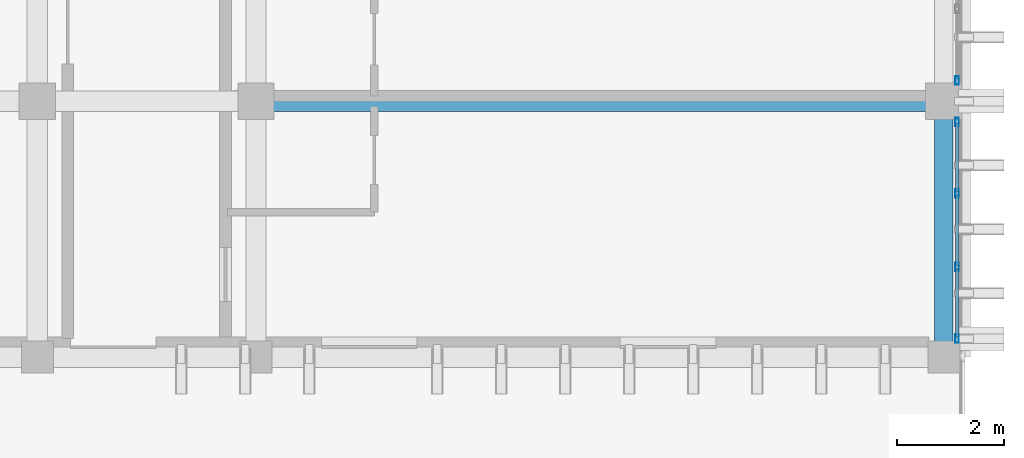
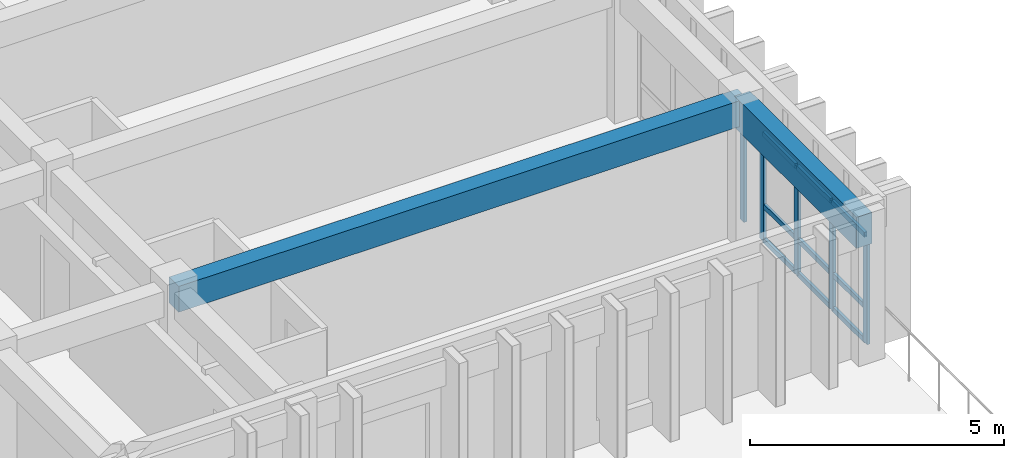
# One storey, part 6 of 53: 14 members, 2 beams, 2 elements without a shape of their own.
"""IFC4 building model written with IfcOpenShell, lengths in metres."""

from ifc_helpers import new_model, si_unit, direction, frame, origin, origin_2d, place, context, subcontext, project, spatial, rectangle, hollow_rectangle, extrude, material, layer, layer_set, material_profile, profile_set, type_object, element, aggregate, save


model = new_model("IFC4")

# Units and contexts
model_context = context("Model", 3, precision=1e-05, world=origin(), true_north=direction((0.0, 1.0)))
body_context = subcontext(model_context, "Body", "Model", "MODEL_VIEW")
ifc_project = project(units=[si_unit("LENGTHUNIT", "METRE"), si_unit("AREAUNIT", "SQUARE_METRE"), si_unit("VOLUMEUNIT", "CUBIC_METRE"), si_unit("PLANEANGLEUNIT", "RADIAN"), si_unit("MASSUNIT", "GRAM", prefix="KILO")], contexts=[model_context])

# Site, building, storey
site_placement = place(None, origin())
site = spatial("IfcSite", under=ifc_project, at=site_placement, CompositionType="ELEMENT")
building_placement = place(site_placement, origin())
building = spatial("IfcBuilding", under=site, at=building_placement, Name="Nakhvara Creek Congress Hotel", CompositionType="ELEMENT")
storey_placement = place(building_placement, frame((0.0, 0.0, 35.39990234375)))
storey = spatial("IfcBuildingStorey", under=building, at=storey_placement, Name="L08", CompositionType="ELEMENT", Elevation=35.39990234375)

# Beams
ifc_material_1 = material(Name="Concrete C40/50", Category="concrete")
ifc_material_profile_1 = material_profile(ifc_material_1, rectangle(XDim=0.3798828125, YDim=0.6201171875, at=origin_2d()), Name="RC-BM 380x620", Category="LoadBearing")
ifc_profile_set_1 = profile_set([ifc_material_profile_1], Name="Concrete C40/50")
beam_type_1 = type_object("IfcBeamType", Name="BM-RC-380X620", PredefinedType="BEAM", material=ifc_profile_set_1)
beam_1_placement = place(storey_placement, frame((166.449951171875, 57.60009765625, 3.050048828125), z_axis=(1.0, 0.0, 0.0), x_axis=(0.0, 1.0, 0.0)))
element("IfcBeam", 1, at=beam_1_placement, inside=storey, type_object=beam_type_1, Name="Beam B10-L08-2473", PredefinedType="BEAM", context=body_context, shape_type="SweptSolid", body=[
    extrude(rectangle(XDim=0.3798828125, YDim=0.6201171875, at=origin_2d()), origin(), (0.0, 0.0, 1.0), 12.900146484375),
])
ifc_material_profile_2 = material_profile(ifc_material_1, rectangle(XDim=0.35009765625, YDim=0.75, at=origin_2d()), Name="RC-SPANDREL 350x750", Category="LoadBearing")
ifc_profile_set_2 = profile_set([ifc_material_profile_2], Name="Concrete C40/50")
beam_type_2 = type_object("IfcBeamType", Name="BM-SPN-350X750", PredefinedType="SPANDREL", material=ifc_profile_set_2)
beam_2_placement = place(storey_placement, frame((179.35009765625, 52.800048828125, 2.985107421875), z_axis=(0.0, 1.0, 0.0), x_axis=(-1.0, 0.0, 0.0)))
element("IfcBeam", 2, at=beam_2_placement, inside=storey, type_object=beam_type_2, Name="Beam SP1-L08-2496", PredefinedType="SPANDREL", context=body_context, shape_type="SweptSolid", body=[
    extrude(rectangle(XDim=0.35009765625, YDim=0.75, at=origin_2d()), origin(), (0.0, 0.0, 1.0), 4.800048828125),
])

# Curtain wall, members
ifc_material_2 = material(Name="Bronze-anodised aluminium AW-6063-T6 and double-silver low-E glass", Category="aluminium")
ifc_layer = layer(ifc_material_2, 0.199951171875)
ifc_layer_set = layer_set([ifc_layer], Name="Bronze-anodised aluminium AW-6063-T6 and double-silver low-E glass")
curtain_wall_type = type_object("IfcCurtainWallType", Name="CW-HTL-UNIT", PredefinedType="USERDEFINED", material=ifc_layer_set)
curtain_wall_1_placement = place(storey_placement, origin())
curtain_wall_1 = element("IfcCurtainWall", 3, at=curtain_wall_1_placement, inside=storey, type_object=curtain_wall_type, Name="Curtain Wall CW275", ObjectType="UNITISED", PredefinedType="USERDEFINED")
ifc_material_3 = material(Name="Bronze-anodised aluminium AW-6063-T6", Category="aluminium")
ifc_material_profile_3 = material_profile(ifc_material_3, hollow_rectangle(XDim=0.06494140625, YDim=0.159912109375, WallThickness=0.00390625, at=origin_2d()), Name="ALU-MULL 65x160x4", Category="LoadBearing")
ifc_profile_set_3 = profile_set([ifc_material_profile_3], Name="Bronze-anodised aluminium AW-6063-T6")
member_type_1 = type_object("IfcMemberType", Name="CW-MULL-160", PredefinedType="MULLION", material=ifc_profile_set_3)
member_1_placement = place(storey_placement, frame((179.60009765625, 57.21240234375, 0.0), z_axis=(0.0, 0.0, 1.0), x_axis=(1.0, 0.0, 0.0)))
member_1 = element("IfcMember", 4, at=member_1_placement, type_object=member_type_1, Name="CW275 mullion 1", PredefinedType="MULLION", context=body_context, shape_type="SweptSolid", body=[
    extrude(hollow_rectangle(XDim=0.06494140625, YDim=0.159912109375, WallThickness=0.00390625, at=origin_2d()), origin(), (0.0, 0.0, 1.0), 2.60205078125),
])
member_2_placement = place(storey_placement, frame((179.60009765625, 55.868408203125, 0.0), z_axis=(0.0, 0.0, 1.0), x_axis=(1.0, 0.0, 0.0)))
member_2 = element("IfcMember", 5, at=member_2_placement, type_object=member_type_1, Name="CW275 mullion 2", PredefinedType="MULLION", context=body_context, shape_type="SweptSolid", body=[
    extrude(hollow_rectangle(XDim=0.06494140625, YDim=0.159912109375, WallThickness=0.00390625, at=origin_2d()), origin(), (0.0, 0.0, 1.0), 2.60205078125),
])
member_3_placement = place(storey_placement, frame((179.60009765625, 54.49169921875, 0.0), z_axis=(0.0, 0.0, 1.0), x_axis=(1.0, 0.0, 0.0)))
member_3 = element("IfcMember", 6, at=member_3_placement, type_object=member_type_1, Name="CW275 mullion 3", PredefinedType="MULLION", context=body_context, shape_type="SweptSolid", body=[
    extrude(hollow_rectangle(XDim=0.06494140625, YDim=0.159912109375, WallThickness=0.00390625, at=origin_2d()), origin(), (0.0, 0.0, 1.0), 2.60205078125),
])
member_4_placement = place(storey_placement, frame((179.60009765625, 53.1474609375, 0.0), z_axis=(0.0, 0.0, 1.0), x_axis=(1.0, 0.0, 0.0)))
member_4 = element("IfcMember", 7, at=member_4_placement, type_object=member_type_1, Name="CW275 mullion 4", PredefinedType="MULLION", context=body_context, shape_type="SweptSolid", body=[
    extrude(hollow_rectangle(XDim=0.06494140625, YDim=0.159912109375, WallThickness=0.00390625, at=origin_2d()), origin(), (0.0, 0.0, 1.0), 2.60205078125),
])

# Curtain wall, member
curtain_wall_2_placement = place(storey_placement, origin())
curtain_wall_2 = element("IfcCurtainWall", 8, at=curtain_wall_2_placement, inside=storey, type_object=curtain_wall_type, Name="Curtain Wall CW277", ObjectType="UNITISED", PredefinedType="USERDEFINED")
member_5_placement = place(storey_placement, frame((179.60009765625, 57.987548828125, 0.0), z_axis=(0.0, 0.0, 1.0), x_axis=(1.0, 0.0, 0.0)))
member_5 = element("IfcMember", 9, at=member_5_placement, type_object=member_type_1, Name="CW277 mullion 4", PredefinedType="MULLION", context=body_context, shape_type="SweptSolid", body=[
    extrude(hollow_rectangle(XDim=0.06494140625, YDim=0.159912109375, WallThickness=0.00390625, at=origin_2d()), origin(), (0.0, 0.0, 1.0), 2.60205078125),
])
aggregate(curtain_wall_2, [member_5])

# Member
ifc_material_profile_4 = material_profile(ifc_material_3, hollow_rectangle(XDim=0.06494140625, YDim=0.1201171875, WallThickness=0.00390625, at=origin_2d()), Name="ALU-TRAN 65x120x4", Category="LoadBearing")
ifc_profile_set_4 = profile_set([ifc_material_profile_4], Name="Bronze-anodised aluminium AW-6063-T6")
member_type_2 = type_object("IfcMemberType", Name="CW-TRAN-120", PredefinedType="USERDEFINED", material=ifc_profile_set_4)
member_6_placement = place(storey_placement, frame((179.60009765625, 57.179931640625, 0.03271484375), z_axis=(0.0, -1.0, 0.0), x_axis=(1.0, 0.0, 0.0)))
member_6 = element("IfcMember", 10, at=member_6_placement, type_object=member_type_2, Name="CW275 transom 1.1", ObjectType="TRANSOM", PredefinedType="USERDEFINED", context=body_context, shape_type="SweptSolid", body=[
    extrude(hollow_rectangle(XDim=0.06494140625, YDim=0.1201171875, WallThickness=0.00390625, at=origin_2d()), origin(), (0.0, 0.0, 1.0), 1.279052734375),
])

member_7_placement = place(storey_placement, frame((179.60009765625, 57.179931640625, 0.85009765625), z_axis=(0.0, -1.0, 0.0), x_axis=(1.0, 0.0, 0.0)))
member_7 = element("IfcMember", 11, at=member_7_placement, type_object=member_type_2, Name="CW275 transom 1.2", ObjectType="TRANSOM", PredefinedType="USERDEFINED", context=body_context, shape_type="SweptSolid", body=[
    extrude(hollow_rectangle(XDim=0.06494140625, YDim=0.1201171875, WallThickness=0.00390625, at=origin_2d()), origin(), (0.0, 0.0, 1.0), 1.279052734375),
])

member_8_placement = place(storey_placement, frame((179.60009765625, 57.179931640625, 2.569580078125), z_axis=(0.0, -1.0, 0.0), x_axis=(1.0, 0.0, 0.0)))
member_8 = element("IfcMember", 12, at=member_8_placement, type_object=member_type_2, Name="CW275 transom 1.3", ObjectType="TRANSOM", PredefinedType="USERDEFINED", context=body_context, shape_type="SweptSolid", body=[
    extrude(hollow_rectangle(XDim=0.06494140625, YDim=0.1201171875, WallThickness=0.00390625, at=origin_2d()), origin(), (0.0, 0.0, 1.0), 1.279052734375),
])

member_9_placement = place(storey_placement, frame((179.60009765625, 55.8359375, 0.03271484375), z_axis=(0.0, -1.0, 0.0), x_axis=(1.0, 0.0, 0.0)))
member_9 = element("IfcMember", 13, at=member_9_placement, type_object=member_type_2, Name="CW275 transom 2.1", ObjectType="TRANSOM", PredefinedType="USERDEFINED", context=body_context, shape_type="SweptSolid", body=[
    extrude(hollow_rectangle(XDim=0.06494140625, YDim=0.1201171875, WallThickness=0.00390625, at=origin_2d()), origin(), (0.0, 0.0, 1.0), 1.311767578125),
])

member_10_placement = place(storey_placement, frame((179.60009765625, 55.8359375, 0.85009765625), z_axis=(0.0, -1.0, 0.0), x_axis=(1.0, 0.0, 0.0)))
member_10 = element("IfcMember", 14, at=member_10_placement, type_object=member_type_2, Name="CW275 transom 2.2", ObjectType="TRANSOM", PredefinedType="USERDEFINED", context=body_context, shape_type="SweptSolid", body=[
    extrude(hollow_rectangle(XDim=0.06494140625, YDim=0.1201171875, WallThickness=0.00390625, at=origin_2d()), origin(), (0.0, 0.0, 1.0), 1.311767578125),
])

member_11_placement = place(storey_placement, frame((179.60009765625, 55.8359375, 2.569580078125), z_axis=(0.0, -1.0, 0.0), x_axis=(1.0, 0.0, 0.0)))
member_11 = element("IfcMember", 15, at=member_11_placement, type_object=member_type_2, Name="CW275 transom 2.3", ObjectType="TRANSOM", PredefinedType="USERDEFINED", context=body_context, shape_type="SweptSolid", body=[
    extrude(hollow_rectangle(XDim=0.06494140625, YDim=0.1201171875, WallThickness=0.00390625, at=origin_2d()), origin(), (0.0, 0.0, 1.0), 1.311767578125),
])

member_12_placement = place(storey_placement, frame((179.60009765625, 54.459228515625, 0.03271484375), z_axis=(0.0, -1.0, 0.0), x_axis=(1.0, 0.0, 0.0)))
member_12 = element("IfcMember", 16, at=member_12_placement, type_object=member_type_2, Name="CW275 transom 3.1", ObjectType="TRANSOM", PredefinedType="USERDEFINED", context=body_context, shape_type="SweptSolid", body=[
    extrude(hollow_rectangle(XDim=0.06494140625, YDim=0.1201171875, WallThickness=0.00390625, at=origin_2d()), origin(), (0.0, 0.0, 1.0), 1.279296875),
])

member_13_placement = place(storey_placement, frame((179.60009765625, 54.459228515625, 0.85009765625), z_axis=(0.0, -1.0, 0.0), x_axis=(1.0, 0.0, 0.0)))
member_13 = element("IfcMember", 17, at=member_13_placement, type_object=member_type_2, Name="CW275 transom 3.2", ObjectType="TRANSOM", PredefinedType="USERDEFINED", context=body_context, shape_type="SweptSolid", body=[
    extrude(hollow_rectangle(XDim=0.06494140625, YDim=0.1201171875, WallThickness=0.00390625, at=origin_2d()), origin(), (0.0, 0.0, 1.0), 1.279296875),
])

member_14_placement = place(storey_placement, frame((179.60009765625, 54.459228515625, 2.569580078125), z_axis=(0.0, -1.0, 0.0), x_axis=(1.0, 0.0, 0.0)))
member_14 = element("IfcMember", 18, at=member_14_placement, type_object=member_type_2, Name="CW275 transom 3.3", ObjectType="TRANSOM", PredefinedType="USERDEFINED", context=body_context, shape_type="SweptSolid", body=[
    extrude(hollow_rectangle(XDim=0.06494140625, YDim=0.1201171875, WallThickness=0.00390625, at=origin_2d()), origin(), (0.0, 0.0, 1.0), 1.279296875),
])

aggregate(curtain_wall_1, [member_1, member_2, member_3, member_4, member_6, member_7, member_8, member_9, member_10, member_11, member_12, member_13, member_14])

save(model, "model.ifc")
